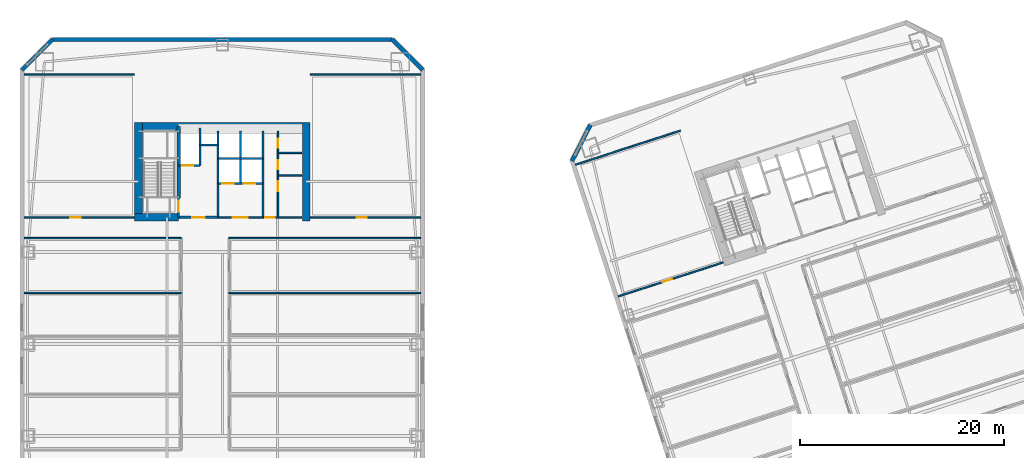
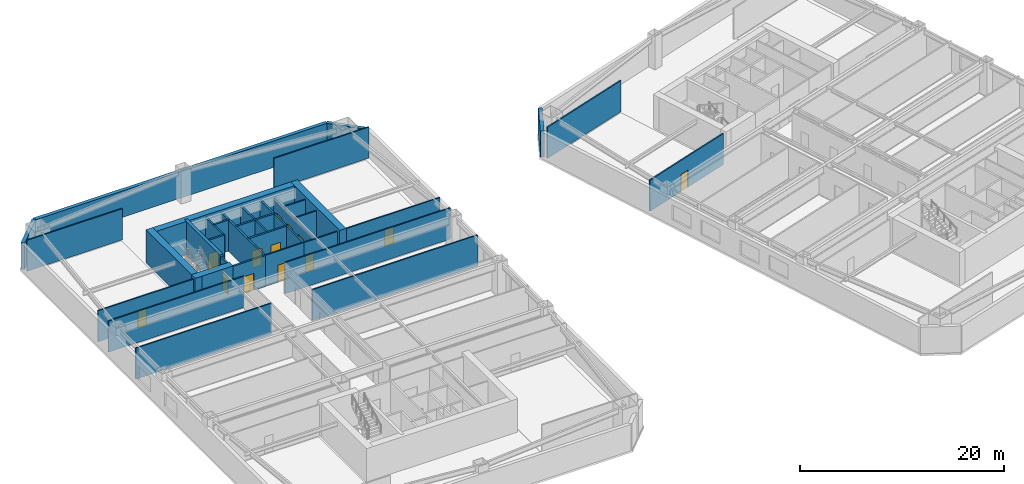
# One storey, part 12 of 24: 34 walls, 13 doors, 13 openings.
"""IFC4 building model written with IfcOpenShell, lengths in metres."""

import ifcopenshell
import ifcopenshell.guid

model = None  # the IFC model being written
_history = None  # IfcOwnerHistory: only IFC2X3 demands one
_inside = {}  # id of a spatial element -> (the spatial element, [elements in it])
_under = {}  # id of a project, library or spatial element -> (it, [spatial elements below it])
_declared = {}  # id of a project -> (the project, [libraries it declares])
_typed = {}  # id of a type object -> (the type object, [elements of that type])
_made_of = {}  # id of a material, layer set ... -> (it, [elements and type objects made of it])


def new_model(schema):
    """Start an empty IFC model of exactly this schema.

    Asked for "IFC4X3", IfcOpenShell would pick the latest addendum, in which some entities
    have other attributes; the version numbers below select the first issue.
    IFC2X3 requires an IfcOwnerHistory on every rooted entity: one is made here for all.
    """
    global model, _history
    if schema == "IFC4X3":
        model = ifcopenshell.file(schema_version=(4, 3, 0, 0))
    else:
        model = ifcopenshell.file(schema=schema)
    _inside.clear()
    _under.clear()
    _declared.clear()
    _typed.clear()
    _made_of.clear()
    _history = None
    if model.schema == "IFC2X3":
        org = make("IfcOrganization", Name="unknown")
        user = make(
            "IfcPersonAndOrganization",
            ThePerson=make("IfcPerson", FamilyName="unknown"),
            TheOrganization=org,
        )
        app = make(
            "IfcApplication",
            ApplicationDeveloper=org,
            Version="unknown",
            ApplicationFullName="unknown",
            ApplicationIdentifier="unknown",
        )
        _history = make(
            "IfcOwnerHistory",
            OwningUser=user,
            OwningApplication=app,
            ChangeAction="ADDED",
            CreationDate=0,
        )
    return model


def make(cls, **values):
    """One entity of the class cls with the attributes given. An attribute that is None is left unset."""
    return model.create_entity(
        cls, **{name: value for name, value in values.items() if value is not None}
    )


def rooted(cls, **values):
    """An entity with a GlobalId (a new one), such as an element, a storey or a relation."""
    return make(cls, GlobalId=ifcopenshell.guid.new(), OwnerHistory=_history, **values)


def si_unit(unit_type, name, prefix=None):
    """IfcSIUnit, for example si_unit("LENGTHUNIT", "METRE", prefix="MILLI")."""
    return make("IfcSIUnit", UnitType=unit_type, Prefix=prefix, Name=name)


def assignment(units):
    """IfcUnitAssignment: the units of a project."""
    return None if units is None else make("IfcUnitAssignment", Units=units)


def point(xyz):
    """IfcCartesianPoint."""
    return None if xyz is None else make("IfcCartesianPoint", Coordinates=xyz)


def direction(xyz):
    """IfcDirection."""
    return None if xyz is None else make("IfcDirection", DirectionRatios=xyz)


def frame(location, z_axis=None, x_axis=None):
    """IfcAxis2Placement3D, a coordinate frame: its origin and axes. An axis left out is left unset."""
    return make(
        "IfcAxis2Placement3D",
        Location=point(location),
        Axis=direction(z_axis),
        RefDirection=direction(x_axis),
    )


def frame_2d(location, x_axis=None):
    """IfcAxis2Placement2D, a coordinate frame in the plane: its origin and x axis."""
    return make(
        "IfcAxis2Placement2D", Location=point(location), RefDirection=direction(x_axis)
    )


def origin():
    """The frame at (0, 0, 0) with its axes left unset."""
    return frame((0.0, 0.0, 0.0))


def place(relative_to, where):
    """IfcLocalPlacement: puts the frame where relative to a parent placement (None: the world)."""
    return make(
        "IfcLocalPlacement", PlacementRelTo=relative_to, RelativePlacement=where
    )


def context(
    kind, dimensions, precision=None, world=None, true_north=None, identifier=None
):
    """IfcGeometricRepresentationContext, for example the 3D "Model" context."""
    return make(
        "IfcGeometricRepresentationContext",
        ContextIdentifier=identifier,
        ContextType=kind,
        CoordinateSpaceDimension=dimensions,
        Precision=precision,
        WorldCoordinateSystem=world,
        TrueNorth=true_north,
    )


def subcontext(parent, identifier, kind, view, scale=None):
    """IfcGeometricRepresentationSubContext, for example "Body" below "Model"."""
    return make(
        "IfcGeometricRepresentationSubContext",
        ContextIdentifier=identifier,
        ContextType=kind,
        ParentContext=parent,
        TargetScale=scale,
        TargetView=view,
    )


def project(units=None, contexts=None):
    """IfcProject with its units and contexts."""
    return rooted(
        "IfcProject",
        Name="project",
        RepresentationContexts=contexts,
        UnitsInContext=assignment(units),
    )


def spatial(cls, under=None, at=None, **own):
    """A site, building, storey or space (cls), placed at a placement, below another one or the project."""
    s = rooted(cls, ObjectPlacement=at, **own)
    if under is not None:
        _under.setdefault(under.id(), (under, []))[1].append(s)
    return s


def profile(cls, at=None, kind="AREA", **sizes):
    """A parametric profile (cls). Its sizes go by their IFC names, for example OverallWidth=200.0."""
    return make(cls, ProfileType=kind, Position=at, **sizes)


def rectangle(**sizes):
    """IfcRectangleProfileDef."""
    return profile("IfcRectangleProfileDef", **sizes)


def extrude(swept, where, along, depth):
    """IfcExtrudedAreaSolid: the profile swept, set in the frame where, extruded along a direction by depth."""
    return make(
        "IfcExtrudedAreaSolid",
        SweptArea=swept,
        Position=where,
        ExtrudedDirection=direction(along),
        Depth=depth,
    )


def shape(context_of_items, identifier, shape_type, items):
    """IfcShapeRepresentation: the items that make up one representation, for example the "Body"."""
    return make(
        "IfcShapeRepresentation",
        ContextOfItems=context_of_items,
        RepresentationIdentifier=identifier,
        RepresentationType=shape_type,
        Items=items,
    )


def material(Name=None, Category=None):
    """IfcMaterial."""
    return make("IfcMaterial", Name=Name, Category=Category)


def layer(
    of_material, thickness, ventilated=None, Name=None, Category=None, Priority=None
):
    """IfcMaterialLayer: one layer of a wall or slab, of a material (None: an air gap)."""
    return make(
        "IfcMaterialLayer",
        Material=of_material,
        LayerThickness=thickness,
        IsVentilated=ventilated,
        Name=Name,
        Category=Category,
        Priority=Priority,
    )


def layer_set(layers, Name=None):
    """IfcMaterialLayerSet."""
    return make("IfcMaterialLayerSet", MaterialLayers=layers, LayerSetName=Name)


def made_of(thing, what):
    """Note that an element or type object is made of a material, layer set ...; save() writes the relation."""
    if what is not None:
        _made_of.setdefault(what.id(), (what, []))[1].append(thing)
    return thing


def type_object(cls, material=None, **own):
    """A type object (cls), such as IfcWallType, which elements share."""
    return made_of(rooted(cls, **own), material)


def element(
    cls,
    number,
    at=None,
    inside=None,
    cuts=None,
    type_object=None,
    material=None,
    context=None,
    identifier="Body",
    shape_type=None,
    held_by="IfcProductDefinitionShape",
    body=None,
    shapes=None,
    **own,
):
    """One element of the class cls, such as IfcWall. Its Tag is "e" and its number.

    at: its placement. inside: the storey or other place that contains it. cuts: it is an
    opening in that element (IfcRelVoidsElement). A single representation is given by context,
    identifier, shape_type and body (its items); several are given by shapes. held_by: the class
    of the entity that holds the representations. save() writes the other relations.
    """
    e = rooted(cls, Tag="e%d" % number, ObjectPlacement=at, **own)
    if body is not None:
        shapes = [shape(context, identifier, shape_type, body)]
    if shapes is not None:
        e.Representation = make(held_by, Representations=shapes)
    if inside is not None:
        _inside.setdefault(inside.id(), (inside, []))[1].append(e)
    if cuts is not None:
        rooted(
            "IfcRelVoidsElement", RelatingBuildingElement=cuts, RelatedOpeningElement=e
        )
    if type_object is not None:
        _typed.setdefault(type_object.id(), (type_object, []))[1].append(e)
    return made_of(e, material)


def fill(opening, filler):
    """IfcRelFillsElement: the door or window that sits in an opening."""
    return rooted(
        "IfcRelFillsElement",
        RelatingOpeningElement=opening,
        RelatedBuildingElement=filler,
    )


def aggregate(whole, parts):
    """IfcRelAggregates: a whole, such as a stair, and the parts it consists of."""
    return rooted("IfcRelAggregates", RelatingObject=whole, RelatedObjects=parts)


def save(model, path):
    """Write the relations noted so far, then the file.

    IfcRelAggregates (storeys below a building ...), IfcRelContainedInSpatialStructure (elements
    in a storey), IfcRelDefinesByType, IfcRelAssociatesMaterial and IfcRelDeclares: one each for
    every whole, place, type object, material and project.
    """
    for whole, parts in _under.values():
        aggregate(whole, parts)
    for where, things in _inside.values():
        rooted(
            "IfcRelContainedInSpatialStructure",
            RelatedElements=things,
            RelatingStructure=where,
        )
    for kind, things in _typed.values():
        rooted("IfcRelDefinesByType", RelatedObjects=things, RelatingType=kind)
    for what, things in _made_of.values():
        rooted("IfcRelAssociatesMaterial", RelatedObjects=things, RelatingMaterial=what)
    for by, libraries in _declared.values():
        rooted("IfcRelDeclares", RelatingContext=by, RelatedDefinitions=libraries)
    model.write(path)


model = new_model("IFC4")

# Units and contexts
model_context = context("Model", 3, precision=1e-05, world=origin(), true_north=direction((0.0, 1.0)))
body_context = subcontext(model_context, "Body", "Model", "MODEL_VIEW")
ifc_project = project(units=[si_unit("LENGTHUNIT", "METRE"), si_unit("AREAUNIT", "SQUARE_METRE"), si_unit("VOLUMEUNIT", "CUBIC_METRE"), si_unit("PLANEANGLEUNIT", "RADIAN"), si_unit("MASSUNIT", "GRAM", prefix="KILO")], contexts=[model_context])

# Site, building, storey
site_placement = place(None, origin())
site = spatial("IfcSite", under=ifc_project, at=site_placement, CompositionType="ELEMENT")
building_placement = place(site_placement, origin())
building = spatial("IfcBuilding", under=site, at=building_placement, Name="Qiaolan Cultural Towers", CompositionType="ELEMENT")
storey_placement = place(building_placement, frame((0.0, 0.0, 30.0)))
storey = spatial("IfcBuildingStorey", under=building, at=storey_placement, Name="L06", CompositionType="ELEMENT", Elevation=30.0)

# Walls
ifc_material_1 = material(Name="Concrete C50", Category="concrete")
ifc_layer_1 = layer(ifc_material_1, 0.35009765625)
ifc_layer_set_1 = layer_set([ifc_layer_1], Name="Concrete C50")
wall_type_1 = type_object("IfcWallType", Name="WL-CORE-350", PredefinedType="SHEAR", material=ifc_layer_set_1)
wall_1_placement = place(storey_placement, frame((25.719970703125, 48.300048828125, 0.0), z_axis=(0.0, 0.0, 1.0), x_axis=(0.0, 1.0, 0.0)))
element("IfcWall", 1, at=wall_1_placement, inside=storey, type_object=wall_type_1, Name="L06 T1-CN Stair Core Dividing Web", PredefinedType="SHEAR", context=body_context, shape_type="SweptSolid", body=[
    extrude(rectangle(XDim=6.97998046875, YDim=0.35009765625, at=frame_2d((3.489990234375, 0.0))), origin(), (0.0, 0.0, 1.0), 4.0),
])
ifc_material_2 = material(Name="Concrete C60", Category="concrete")
ifc_layer_2 = layer(ifc_material_2, 0.75)
ifc_layer_set_2 = layer_set([ifc_layer_2], Name="Concrete C60")
wall_type_2 = type_object("IfcWallType", Name="WL-CORE-750", PredefinedType="SHEAR", material=ifc_layer_set_2)
wall_2_placement = place(storey_placement, frame((21.425048828125, 55.280029296875, 0.0), z_axis=(0.0, 0.0, 1.0), x_axis=(1.0, 0.0, 0.0)))
element("IfcWall", 2, at=wall_2_placement, inside=storey, type_object=wall_type_2, Name="L06 T1-CN Outer Core Shear Wall", PredefinedType="SHEAR", context=body_context, shape_type="SweptSolid", body=[
    extrude(rectangle(XDim=17.14990234375, YDim=0.75, at=frame_2d((8.574951171875, 0.0))), origin(), (0.0, 0.0, 1.0), 4.0),
])
for number, where, z_axis, x_axis, name in (
    (3, (21.800048828125, 46.02490234375, 0.0), (0.0, 0.0, 1.0), (0.0, 1.0, 0.0), "L06 T1-CN West Core Shear Wall"),
    (4, (38.199951171875, 46.02490234375, 0.0), (0.0, 0.0, 1.0), (0.0, 1.0, 0.0), "L06 T1-CN East Core Shear Wall"),
):
    element("IfcWall", number, at=place(storey_placement, frame(where, z_axis=z_axis, x_axis=x_axis)), inside=storey, type_object=wall_type_2, Name=name, PredefinedType="SHEAR", context=body_context, shape_type="SweptSolid", body=[
        extrude(rectangle(XDim=9.630126953125, YDim=0.75, at=frame_2d((4.81494140625, 0.0))), origin(), (0.0, 0.0, 1.0), 4.0),
    ])
wall_3_placement = place(storey_placement, frame((21.425048828125, 46.39990234375, 0.0), z_axis=(0.0, 0.0, 1.0), x_axis=(1.0, 0.0, 0.0)))
element("IfcWall", 5, at=wall_3_placement, inside=storey, type_object=wall_type_2, Name="L06 T1-CN Stair Front Shear Wall", PredefinedType="SHEAR", context=body_context, shape_type="SweptSolid", body=[
    extrude(rectangle(XDim=4.294921875, YDim=0.75, at=frame_2d((2.1474609375, 0.0))), origin(), (0.0, 0.0, 1.0), 4.0),
])
ifc_material_3 = material(Name="Precast Concrete C50 Honed Stone Pier", Category="masonry")
ifc_layer_3 = layer(ifc_material_3, 0.39990234375)
ifc_layer_set_3 = layer_set([ifc_layer_3], Name="Precast Concrete C50 Honed Stone Pier")
wall_type_3 = type_object("IfcWallType", Name="WL-EXT-PIER-400", PredefinedType="SOLIDWALL", material=ifc_layer_set_3)
wall_4_placement = place(storey_placement, frame((10.39990234375, 60.800048828125, 0.0), z_axis=(0.0, 0.0, 1.0), x_axis=(0.707106781187, 0.707106781187, 0.0)))
element("IfcWall", 6, at=wall_4_placement, inside=storey, type_object=wall_type_3, Name="L06 West Tower Precast Pier Facade Wall F2", PredefinedType="SOLIDWALL", context=body_context, shape_type="SweptSolid", body=[
    extrude(rectangle(XDim=4.24267578125, YDim=0.39990234375, at=frame_2d((2.121337890625, 0.0))), origin(), (0.0, 0.0, 1.0), 3.159912109375),
])
wall_5_placement = place(storey_placement, frame((13.39990234375, 63.800048828125, 0.0), z_axis=(0.0, 0.0, 1.0), x_axis=(1.0, 0.0, 0.0)))
element("IfcWall", 7, at=wall_5_placement, inside=storey, type_object=wall_type_3, Name="L06 West Tower Precast Pier Facade Wall F3", PredefinedType="SOLIDWALL", context=body_context, shape_type="SweptSolid", body=[
    extrude(rectangle(XDim=33.2001953125, YDim=0.39990234375, at=frame_2d((16.60009765625, 0.0))), origin(), (0.0, 0.0, 1.0), 3.159912109375),
])
wall_6_placement = place(storey_placement, frame((46.60009765625, 63.800048828125, 0.0), z_axis=(0.0, 0.0, 1.0), x_axis=(0.707106781187, -0.707106781187, 0.0)))
element("IfcWall", 8, at=wall_6_placement, inside=storey, type_object=wall_type_3, Name="L06 West Tower Precast Pier Facade Wall F4", PredefinedType="SOLIDWALL", context=body_context, shape_type="SweptSolid", body=[
    extrude(rectangle(XDim=4.24267578125, YDim=0.39990234375, at=frame_2d((2.121337890625, 0.0))), origin(), (0.0, 0.0, 1.0), 3.159912109375),
])
wall_7_placement = place(storey_placement, frame((64.20458984375, 51.905029296875, 0.0), z_axis=(0.0, 0.0, 1.0), x_axis=(0.453958106755, 0.891023028497, 0.0)))
element("IfcWall", 9, at=wall_7_placement, inside=storey, type_object=wall_type_3, Name="L06 East Tower Precast Pier Facade Wall F2", PredefinedType="SOLIDWALL", context=body_context, shape_type="SweptSolid", body=[
    extrude(rectangle(XDim=3.9599609375, YDim=0.39990234375, at=frame_2d((1.97998046875, 0.0))), origin(), (0.0, 0.0, 1.0), 3.159912109375),
])

# Wall, opening, door
ifc_material_4 = material(Name="Concrete C35 Fire Wall", Category="concrete")
ifc_layer_4 = layer(ifc_material_4, 0.199951171875)
ifc_layer_set_4 = layer_set([ifc_layer_4], Name="Concrete C35 Fire Wall")
wall_type_4 = type_object("IfcWallType", Name="WL-FIRE-200", PredefinedType="PARTITIONING", material=ifc_layer_set_4)
wall_8_placement = place(storey_placement, frame((25.719970703125, 46.39990234375, 0.0), z_axis=(0.0, 0.0, 1.0), x_axis=(0.0, 1.0, 0.0)))
wall_8 = element("IfcWall", 10, at=wall_8_placement, inside=storey, type_object=wall_type_4, Name="L06 T1-CN Smokeproof Stair Entry Wall", PredefinedType="PARTITIONING", context=body_context, shape_type="SweptSolid", body=[
    extrude(rectangle(XDim=1.900146484375, YDim=0.199951171875, at=frame_2d((0.9501953125, 0.0))), origin(), (0.0, 0.0, 1.0), 3.72509765625),
])
opening_1_placement = place(wall_8_placement, frame((0.52001953125, 0.0, 0.0)))
opening_1 = element("IfcOpeningElement", 11, at=opening_1_placement, cuts=wall_8, Name="Opening FD-04", PredefinedType="OPENING", context=body_context, shape_type="SweptSolid", body=[
    extrude(rectangle(XDim=1.10009765625, YDim=2.050048828125, at=frame_2d((0.550048828125, 1.02490234375))), frame((0.0, 0.10986328125, 0.0), z_axis=(0.0, -1.0, 0.0), x_axis=(1.0, 0.0, 0.0)), (0.0, 0.0, 1.0), 0.219970703125),
])
ifc_material_5 = material(Name="Galvanized Steel Command Fire Door", Category="steel")
door_type_1 = type_object("IfcDoorType", Name="DR-FD90-1100", OperationType="NOTDEFINED", PredefinedType="DOOR", material=ifc_material_5)
door_1_placement = place(opening_1_placement, origin())
door_1 = element("IfcDoor", 12, at=door_1_placement, inside=storey, type_object=door_type_1, Name="L06 ST-W2 Smokeproof Stair Fire Door", OperationType="SINGLE_SWING_LEFT", OverallHeight=2.050048828125, OverallWidth=1.10009765625, PredefinedType="DOOR", context=body_context, shape_type="SweptSolid", body=[
    extrude(rectangle(XDim=1.10009765625, YDim=2.050048828125, at=frame_2d((0.550048828125, 1.02490234375))), frame((0.0, 0.02490234375, 0.0), z_axis=(0.0, -1.0, 0.0), x_axis=(1.0, 0.0, 0.0)), (0.0, 0.0, 1.0), 0.050048828125),
])
fill(opening_1, door_1)

# Wall
wall_9_placement = place(storey_placement, frame((29.550048828125, 46.39990234375, 0.0), z_axis=(0.0, 0.0, 1.0), x_axis=(0.0, 1.0, 0.0)))
element("IfcWall", 13, at=wall_9_placement, inside=storey, type_object=wall_type_4, Name="L06 T1-CN Firefighting Zone Wall", PredefinedType="PARTITIONING", context=body_context, shape_type="SweptSolid", body=[
    extrude(rectangle(XDim=8.43017578125, YDim=0.199951171875, at=frame_2d((4.215087890625, 0.0))), origin(), (0.0, 0.0, 1.0), 3.72509765625),
])

# Wall, opening, door
wall_10_placement = place(storey_placement, frame((25.719970703125, 46.39990234375, 0.0), z_axis=(0.0, 0.0, 1.0), x_axis=(1.0, 0.0, 0.0)))
wall_10 = element("IfcWall", 14, at=wall_10_placement, inside=storey, type_object=wall_type_4, Name="L06 T1-CN Firefighting Lobby Front Wall", PredefinedType="PARTITIONING", context=body_context, shape_type="SweptSolid", body=[
    extrude(rectangle(XDim=3.830078125, YDim=0.199951171875, at=frame_2d((1.9150390625, 0.0))), origin(), (0.0, 0.0, 1.0), 3.72509765625),
])
opening_2_placement = place(wall_10_placement, frame((1.35009765625, 0.0, 0.0)))
opening_2 = element("IfcOpeningElement", 15, at=opening_2_placement, cuts=wall_10, Name="Opening FD-03", PredefinedType="OPENING", context=body_context, shape_type="SweptSolid", body=[
    extrude(rectangle(XDim=1.199951171875, YDim=2.050048828125, at=frame_2d((0.60009765625, 1.02490234375))), frame((0.0, 0.10986328125, 0.0), z_axis=(0.0, -1.0, 0.0), x_axis=(1.0, 0.0, 0.0)), (0.0, 0.0, 1.0), 0.219970703125),
])
ifc_material_6 = material(Name="Galvanized Steel Smokeproof Lobby Fire Door", Category="steel")
door_type_2 = type_object("IfcDoorType", Name="DR-FD90-1200", OperationType="NOTDEFINED", PredefinedType="DOOR", material=ifc_material_6)
door_2_placement = place(opening_2_placement, origin())
door_2 = element("IfcDoor", 16, at=door_2_placement, inside=storey, type_object=door_type_2, Name="L06 FFL-W2 Firefighting Lobby Fire Door", OperationType="SINGLE_SWING_LEFT", OverallHeight=2.050048828125, OverallWidth=1.199951171875, PredefinedType="DOOR", context=body_context, shape_type="SweptSolid", body=[
    extrude(rectangle(XDim=1.199951171875, YDim=2.050048828125, at=frame_2d((0.60009765625, 1.02490234375))), frame((0.0, 0.02490234375, 0.0), z_axis=(0.0, -1.0, 0.0), x_axis=(1.0, 0.0, 0.0)), (0.0, 0.0, 1.0), 0.050048828125),
])
fill(opening_2, door_2)

wall_11_placement = place(storey_placement, frame((25.719970703125, 51.449951171875, 0.0), z_axis=(0.0, 0.0, 1.0), x_axis=(1.0, 0.0, 0.0)))
wall_11 = element("IfcWall", 17, at=wall_11_placement, inside=storey, type_object=wall_type_4, Name="L06 T1-CN Firefighting Shaft Front Wall", PredefinedType="PARTITIONING", context=body_context, shape_type="SweptSolid", body=[
    extrude(rectangle(XDim=2.10009765625, YDim=0.199951171875, at=frame_2d((1.050048828125, 0.0))), origin(), (0.0, 0.0, 1.0), 3.72509765625),
])
opening_3_placement = place(wall_11_placement, frame((0.35009765625, 0.0, 0.0)))
opening_3 = element("IfcOpeningElement", 18, at=opening_3_placement, cuts=wall_11, Name="Opening LD-01", PredefinedType="OPENING", context=body_context, shape_type="SweptSolid", body=[
    extrude(rectangle(XDim=1.10009765625, YDim=2.050048828125, at=frame_2d((0.550048828125, 1.02490234375))), frame((0.0, 0.10986328125, 0.0), z_axis=(0.0, -1.0, 0.0), x_axis=(1.0, 0.0, 0.0)), (0.0, 0.0, 1.0), 0.219970703125),
])
ifc_material_7 = material(Name="Brushed Stainless Steel S30408 Centre-Parting Lift Landing Door", Category="steel")
door_type_3 = type_object("IfcDoorType", Name="DR-LIFT-1100", OperationType="NOTDEFINED", PredefinedType="DOOR", material=ifc_material_7)
door_3_placement = place(opening_3_placement, origin())
door_3 = element("IfcDoor", 19, at=door_3_placement, inside=storey, type_object=door_type_3, Name="L06 FFL-W2 Firefighting Lift Landing Door", OperationType="DOUBLE_DOOR_SLIDING", OverallHeight=2.050048828125, OverallWidth=1.10009765625, PredefinedType="DOOR", context=body_context, shape_type="SweptSolid", body=[
    extrude(rectangle(XDim=1.10009765625, YDim=2.050048828125, at=frame_2d((0.550048828125, 1.02490234375))), frame((0.0, 0.02490234375, 0.0), z_axis=(0.0, -1.0, 0.0), x_axis=(1.0, 0.0, 0.0)), (0.0, 0.0, 1.0), 0.050048828125),
])
fill(opening_3, door_3)

# Walls
wall_12_placement = place(storey_placement, frame((27.820068359375, 51.449951171875, 0.0), z_axis=(0.0, 0.0, 1.0), x_axis=(0.0, 1.0, 0.0)))
element("IfcWall", 20, at=wall_12_placement, inside=storey, type_object=wall_type_4, Name="L06 T1-CN Firefighting Hoistway East Wall", PredefinedType="PARTITIONING", context=body_context, shape_type="SweptSolid", body=[
    extrude(rectangle(XDim=3.699951171875, YDim=0.199951171875, at=frame_2d((1.85009765625, 0.0))), origin(), (0.0, 0.0, 1.0), 3.72509765625),
])
wall_13_placement = place(storey_placement, frame((27.820068359375, 53.47998046875, 0.0), z_axis=(0.0, 0.0, 1.0), x_axis=(1.0, 0.0, 0.0)))
element("IfcWall", 21, at=wall_13_placement, inside=storey, type_object=wall_type_4, Name="L06 T1-CN Pressurization Shaft Front Wall", PredefinedType="PARTITIONING", context=body_context, shape_type="SweptSolid", body=[
    extrude(rectangle(XDim=1.72998046875, YDim=0.199951171875, at=frame_2d((0.864990234375, 0.0))), origin(), (0.0, 0.0, 1.0), 3.72509765625),
])
wall_14_placement = place(storey_placement, frame((33.949951171875, 46.39990234375, 0.0), z_axis=(0.0, 0.0, 1.0), x_axis=(0.0, 1.0, 0.0)))
element("IfcWall", 22, at=wall_14_placement, inside=storey, type_object=wall_type_4, Name="L06 T1-CN Lift Core East Wall", PredefinedType="PARTITIONING", context=body_context, shape_type="SweptSolid", body=[
    extrude(rectangle(XDim=8.43017578125, YDim=0.199951171875, at=frame_2d((4.215087890625, 0.0))), origin(), (0.0, 0.0, 1.0), 3.72509765625),
])

# Wall, openings, doors
wall_15_placement = place(storey_placement, frame((29.550048828125, 49.719970703125, 0.0), z_axis=(0.0, 0.0, 1.0), x_axis=(1.0, 0.0, 0.0)))
wall_15 = element("IfcWall", 23, at=wall_15_placement, inside=storey, type_object=wall_type_4, Name="L06 T1-CN Passenger Lift Shaft Front Wall", PredefinedType="PARTITIONING", context=body_context, shape_type="SweptSolid", body=[
    extrude(rectangle(XDim=4.39990234375, YDim=0.199951171875, at=frame_2d((2.199951171875, 0.0))), origin(), (0.0, 0.0, 1.0), 3.72509765625),
])
opening_4_placement = place(wall_15_placement, frame((0.449951171875, 0.0, 0.0)))
opening_4 = element("IfcOpeningElement", 24, at=opening_4_placement, cuts=wall_15, Name="Opening LD-01", PredefinedType="OPENING", context=body_context, shape_type="SweptSolid", body=[
    extrude(rectangle(XDim=1.10009765625, YDim=2.050048828125, at=frame_2d((0.550048828125, 1.02490234375))), frame((0.0, 0.10986328125, 0.0), z_axis=(0.0, -1.0, 0.0), x_axis=(1.0, 0.0, 0.0)), (0.0, 0.0, 1.0), 0.219970703125),
])
opening_5_placement = place(wall_15_placement, frame((2.550048828125, 0.0, 0.0)))
opening_5 = element("IfcOpeningElement", 25, at=opening_5_placement, cuts=wall_15, Name="Opening LD-01", PredefinedType="OPENING", context=body_context, shape_type="SweptSolid", body=[
    extrude(rectangle(XDim=1.10009765625, YDim=2.050048828125, at=frame_2d((0.550048828125, 1.02490234375))), frame((0.0, 0.10986328125, 0.0), z_axis=(0.0, -1.0, 0.0), x_axis=(1.0, 0.0, 0.0)), (0.0, 0.0, 1.0), 0.219970703125),
])
door_4_placement = place(opening_4_placement, origin())
door_4 = element("IfcDoor", 26, at=door_4_placement, inside=storey, type_object=door_type_3, Name="L06 Passenger Lift 1 Landing Door", OperationType="DOUBLE_DOOR_SLIDING", OverallHeight=2.050048828125, OverallWidth=1.10009765625, PredefinedType="DOOR", context=body_context, shape_type="SweptSolid", body=[
    extrude(rectangle(XDim=1.10009765625, YDim=2.050048828125, at=frame_2d((0.550048828125, 1.02490234375))), frame((0.0, 0.02490234375, 0.0), z_axis=(0.0, -1.0, 0.0), x_axis=(1.0, 0.0, 0.0)), (0.0, 0.0, 1.0), 0.050048828125),
])
fill(opening_4, door_4)
door_5_placement = place(opening_5_placement, origin())
door_5 = element("IfcDoor", 27, at=door_5_placement, inside=storey, type_object=door_type_3, Name="L06 Passenger Lift 2 Landing Door", OperationType="DOUBLE_DOOR_SLIDING", OverallHeight=2.050048828125, OverallWidth=1.10009765625, PredefinedType="DOOR", context=body_context, shape_type="SweptSolid", body=[
    extrude(rectangle(XDim=1.10009765625, YDim=2.050048828125, at=frame_2d((0.550048828125, 1.02490234375))), frame((0.0, 0.02490234375, 0.0), z_axis=(0.0, -1.0, 0.0), x_axis=(1.0, 0.0, 0.0)), (0.0, 0.0, 1.0), 0.050048828125),
])
fill(opening_5, door_5)

# Walls
wall_16_placement = place(storey_placement, frame((31.780029296875, 49.719970703125, 0.0), z_axis=(0.0, 0.0, 1.0), x_axis=(0.0, 1.0, 0.0)))
element("IfcWall", 28, at=wall_16_placement, inside=storey, type_object=wall_type_4, Name="L06 T1-CN Lift Shaft Divider Wall", PredefinedType="PARTITIONING", context=body_context, shape_type="SweptSolid", body=[
    extrude(rectangle(XDim=5.110107421875, YDim=0.199951171875, at=frame_2d((2.55517578125, 0.0))), origin(), (0.0, 0.0, 1.0), 3.72509765625),
])
wall_17_placement = place(storey_placement, frame((29.550048828125, 52.14990234375, 0.0), z_axis=(0.0, 0.0, 1.0), x_axis=(1.0, 0.0, 0.0)))
element("IfcWall", 29, at=wall_17_placement, inside=storey, type_object=wall_type_4, Name="L06 T1-CN Passenger Lift Shaft Back Wall", PredefinedType="PARTITIONING", context=body_context, shape_type="SweptSolid", body=[
    extrude(rectangle(XDim=4.39990234375, YDim=0.199951171875, at=frame_2d((2.199951171875, 0.0))), origin(), (0.0, 0.0, 1.0), 3.72509765625),
])

# Wall, opening, door
ifc_material_8 = material(Name="Autoclaved Aerated Concrete Block B06", Category="concrete")
ifc_layer_5 = layer(ifc_material_8, 0.14990234375)
ifc_layer_set_5 = layer_set([ifc_layer_5], Name="Autoclaved Aerated Concrete Block B06")
wall_type_5 = type_object("IfcWallType", Name="WL-PART-150", PredefinedType="PARTITIONING", material=ifc_layer_set_5)
wall_18_placement = place(storey_placement, frame((29.550048828125, 46.39990234375, 0.0), z_axis=(0.0, 0.0, 1.0), x_axis=(1.0, 0.0, 0.0)))
wall_18 = element("IfcWall", 30, at=wall_18_placement, inside=storey, type_object=wall_type_5, Name="L06 T1-CN Passenger Lift Lobby Front Wall", PredefinedType="PARTITIONING", context=body_context, shape_type="SweptSolid", body=[
    extrude(rectangle(XDim=4.39990234375, YDim=0.14990234375, at=frame_2d((2.199951171875, 0.0))), origin(), (0.0, 0.0, 1.0), 3.72509765625),
])
opening_6_placement = place(wall_18_placement, frame((1.449951171875, 0.0, 0.0)))
opening_6 = element("IfcOpeningElement", 31, at=opening_6_placement, cuts=wall_18, Name="Opening FD-05", PredefinedType="OPENING", context=body_context, shape_type="SweptSolid", body=[
    extrude(rectangle(XDim=1.5, YDim=2.050048828125, at=frame_2d((0.75, 1.02490234375))), frame((0.0, 0.0849609375, 0.0), z_axis=(0.0, -1.0, 0.0), x_axis=(1.0, 0.0, 0.0)), (0.0, 0.0, 1.0), 0.169921875),
])
ifc_material_9 = material(Name="Painted Steel Lift Lobby Fire Door", Category="steel")
door_type_4 = type_object("IfcDoorType", Name="DR-FD60-1500", OperationType="NOTDEFINED", PredefinedType="DOOR", material=ifc_material_9)
door_6_placement = place(opening_6_placement, origin())
door_6 = element("IfcDoor", 32, at=door_6_placement, inside=storey, type_object=door_type_4, Name="L06 Passenger Lift Lobby Entrance", OperationType="SINGLE_SWING_LEFT", OverallHeight=2.050048828125, OverallWidth=1.5, PredefinedType="DOOR", context=body_context, shape_type="SweptSolid", body=[
    extrude(rectangle(XDim=1.5, YDim=2.050048828125, at=frame_2d((0.75, 1.02490234375))), frame((0.0, 0.02490234375, 0.0), z_axis=(0.0, -1.0, 0.0), x_axis=(1.0, 0.0, 0.0)), (0.0, 0.0, 1.0), 0.050048828125),
])
fill(opening_6, door_6)

wall_19_placement = place(storey_placement, frame((33.949951171875, 46.39990234375, 0.0), z_axis=(0.0, 0.0, 1.0), x_axis=(1.0, 0.0, 0.0)))
wall_19 = element("IfcWall", 33, at=wall_19_placement, inside=storey, type_object=wall_type_5, Name="L06 T1-CN Sanitary Core Front Wall", PredefinedType="PARTITIONING", context=body_context, shape_type="SweptSolid", body=[
    extrude(rectangle(XDim=3.800048828125, YDim=0.14990234375, at=frame_2d((1.89990234375, 0.0))), origin(), (0.0, 0.0, 1.0), 3.72509765625),
])
opening_7_placement = place(wall_19_placement, frame((0.219970703125, 0.0, 0.0)))
opening_7 = element("IfcOpeningElement", 34, at=opening_7_placement, cuts=wall_19, Name="Opening ID-05", PredefinedType="OPENING", context=body_context, shape_type="SweptSolid", body=[
    extrude(rectangle(XDim=0.949951171875, YDim=2.050048828125, at=frame_2d((0.47509765625, 1.02490234375))), frame((0.0, 0.0849609375, 0.0), z_axis=(0.0, -1.0, 0.0), x_axis=(1.0, 0.0, 0.0)), (0.0, 0.0, 1.0), 0.169921875),
])
ifc_material_10 = material(Name="Fire-Rated Laminate Accessible Core Door", Category="timber")
door_type_5 = type_object("IfcDoorType", Name="DR-INT-950", OperationType="NOTDEFINED", PredefinedType="DOOR", material=ifc_material_10)
door_7_placement = place(opening_7_placement, origin())
door_7 = element("IfcDoor", 35, at=door_7_placement, inside=storey, type_object=door_type_5, Name="L06 Sanitary Vestibule Door", OperationType="SINGLE_SWING_LEFT", OverallHeight=2.050048828125, OverallWidth=0.949951171875, PredefinedType="DOOR", context=body_context, shape_type="SweptSolid", body=[
    extrude(rectangle(XDim=0.949951171875, YDim=2.050048828125, at=frame_2d((0.47509765625, 1.02490234375))), frame((0.0, 0.02490234375, 0.0), z_axis=(0.0, -1.0, 0.0), x_axis=(1.0, 0.0, 0.0)), (0.0, 0.0, 1.0), 0.050048828125),
])
fill(opening_7, door_7)

# Wall, openings, doors
wall_20_placement = place(storey_placement, frame((35.449951171875, 46.39990234375, 0.0), z_axis=(0.0, 0.0, 1.0), x_axis=(0.0, 1.0, 0.0)))
wall_20 = element("IfcWall", 36, at=wall_20_placement, inside=storey, type_object=wall_type_5, Name="L06 T1-CN Sanitary Vestibule Wall", PredefinedType="PARTITIONING", context=body_context, shape_type="SweptSolid", body=[
    extrude(rectangle(XDim=8.43017578125, YDim=0.14990234375, at=frame_2d((4.215087890625, 0.0))), origin(), (0.0, 0.0, 1.0), 3.31494140625),
])
opening_8_placement = place(wall_20_placement, frame((2.550048828125, 0.0, 0.0)))
opening_8 = element("IfcOpeningElement", 37, at=opening_8_placement, cuts=wall_20, Name="Opening ID-05", PredefinedType="OPENING", context=body_context, shape_type="SweptSolid", body=[
    extrude(rectangle(XDim=0.949951171875, YDim=2.050048828125, at=frame_2d((0.47509765625, 1.02490234375))), frame((0.0, 0.0849609375, 0.0), z_axis=(0.0, -1.0, 0.0), x_axis=(1.0, 0.0, 0.0)), (0.0, 0.0, 1.0), 0.169921875),
])
opening_9_placement = place(wall_20_placement, frame((4.699951171875, 0.0, 0.0)))
opening_9 = element("IfcOpeningElement", 38, at=opening_9_placement, cuts=wall_20, Name="Opening ID-06", PredefinedType="OPENING", context=body_context, shape_type="SweptSolid", body=[
    extrude(rectangle(XDim=0.89990234375, YDim=2.050048828125, at=frame_2d((0.449951171875, 1.02490234375))), frame((0.0, 0.0849609375, 0.0), z_axis=(0.0, -1.0, 0.0), x_axis=(1.0, 0.0, 0.0)), (0.0, 0.0, 1.0), 0.169921875),
])
opening_10_placement = place(wall_20_placement, frame((6.800048828125, 0.0, 0.0)))
opening_10 = element("IfcOpeningElement", 39, at=opening_10_placement, cuts=wall_20, Name="Opening ID-06", PredefinedType="OPENING", context=body_context, shape_type="SweptSolid", body=[
    extrude(rectangle(XDim=0.89990234375, YDim=2.050048828125, at=frame_2d((0.449951171875, 1.02490234375))), frame((0.0, 0.0849609375, 0.0), z_axis=(0.0, -1.0, 0.0), x_axis=(1.0, 0.0, 0.0)), (0.0, 0.0, 1.0), 0.169921875),
])
ifc_material_11 = material(Name="Fire-Rated Laminate Core Service Door", Category="timber")
door_type_6 = type_object("IfcDoorType", Name="DR-INT-900", OperationType="NOTDEFINED", PredefinedType="DOOR", material=ifc_material_11)
door_8_placement = place(opening_9_placement, origin())
door_8 = element("IfcDoor", 40, at=door_8_placement, inside=storey, type_object=door_type_6, Name="L06 Men Washroom Door", OperationType="SINGLE_SWING_LEFT", OverallHeight=2.050048828125, OverallWidth=0.89990234375, PredefinedType="DOOR", context=body_context, shape_type="SweptSolid", body=[
    extrude(rectangle(XDim=0.89990234375, YDim=2.050048828125, at=frame_2d((0.449951171875, 1.02490234375))), frame((0.0, 0.02490234375, 0.0), z_axis=(0.0, -1.0, 0.0), x_axis=(1.0, 0.0, 0.0)), (0.0, 0.0, 1.0), 0.050048828125),
])
fill(opening_9, door_8)
door_9_placement = place(opening_10_placement, origin())
door_9 = element("IfcDoor", 41, at=door_9_placement, inside=storey, type_object=door_type_6, Name="L06 Women Washroom Door", OperationType="SINGLE_SWING_RIGHT", OverallHeight=2.050048828125, OverallWidth=0.89990234375, PredefinedType="DOOR", context=body_context, shape_type="SweptSolid", body=[
    extrude(rectangle(XDim=0.89990234375, YDim=2.050048828125, at=frame_2d((0.449951171875, 1.02490234375))), frame((0.0, 0.02490234375, 0.0), z_axis=(0.0, -1.0, 0.0), x_axis=(1.0, 0.0, 0.0)), (0.0, 0.0, 1.0), 0.050048828125),
])
fill(opening_10, door_9)
door_10_placement = place(opening_8_placement, origin())
door_10 = element("IfcDoor", 42, at=door_10_placement, inside=storey, type_object=door_type_5, Name="L06 Accessible Family Washroom Door", OperationType="SINGLE_SWING_LEFT", OverallHeight=2.050048828125, OverallWidth=0.949951171875, PredefinedType="DOOR", context=body_context, shape_type="SweptSolid", body=[
    extrude(rectangle(XDim=0.949951171875, YDim=2.050048828125, at=frame_2d((0.47509765625, 1.02490234375))), frame((0.0, 0.02490234375, 0.0), z_axis=(0.0, -1.0, 0.0), x_axis=(1.0, 0.0, 0.0)), (0.0, 0.0, 1.0), 0.050048828125),
])
fill(opening_8, door_10)

# Walls
for number, where, z_axis, x_axis, name in (
    (43, (35.449951171875, 50.5, 0.0), (0.0, 0.0, 1.0), (1.0, 0.0, 0.0), "L06 T1-CN Restroom Split Wall 1"),
    (44, (35.449951171875, 52.699951171875, 0.0), (0.0, 0.0, 1.0), (1.0, 0.0, 0.0), "L06 T1-CN Restroom Split Wall 2"),
):
    element("IfcWall", number, at=place(storey_placement, frame(where, z_axis=z_axis, x_axis=x_axis)), inside=storey, type_object=wall_type_5, Name=name, PredefinedType="PARTITIONING", context=body_context, shape_type="SweptSolid", body=[
        extrude(rectangle(XDim=2.300048828125, YDim=0.14990234375, at=frame_2d((1.14990234375, 0.0))), origin(), (0.0, 0.0, 1.0), 3.72509765625),
    ])
wall_21_placement = place(storey_placement, frame((10.60009765625, 60.35009765625, 0.0), z_axis=(0.0, 0.0, 1.0), x_axis=(1.0, 0.0, 0.0)))
element("IfcWall", 45, at=wall_21_placement, inside=storey, type_object=wall_type_5, Name="L06 T1 Flank Wall FLK-NW", PredefinedType="PARTITIONING", context=body_context, shape_type="SweptSolid", body=[
    extrude(rectangle(XDim=10.7998046875, YDim=0.14990234375, at=frame_2d((5.39990234375, 0.0))), origin(), (0.0, 0.0, 1.0), 3.72509765625),
])

# Wall, opening, door
wall_22_placement = place(storey_placement, frame((10.60009765625, 46.39990234375, 0.0), z_axis=(0.0, 0.0, 1.0), x_axis=(1.0, 0.0, 0.0)))
wall_22 = element("IfcWall", 46, at=wall_22_placement, inside=storey, type_object=wall_type_5, Name="L06 T1 Flank Front FLK-NW", PredefinedType="PARTITIONING", context=body_context, shape_type="SweptSolid", body=[
    extrude(rectangle(XDim=10.7998046875, YDim=0.14990234375, at=frame_2d((5.39990234375, 0.0))), origin(), (0.0, 0.0, 1.0), 3.72509765625),
])
opening_11_placement = place(wall_22_placement, frame((4.535888671875, 0.0, 0.0)))
opening_11 = element("IfcOpeningElement", 47, at=opening_11_placement, cuts=wall_22, Name="Opening ID-04", PredefinedType="OPENING", context=body_context, shape_type="SweptSolid", body=[
    extrude(rectangle(XDim=1.0, YDim=2.050048828125, at=frame_2d((0.5, 1.02490234375))), frame((0.0, 0.0849609375, 0.0), z_axis=(0.0, -1.0, 0.0), x_axis=(1.0, 0.0, 0.0)), (0.0, 0.0, 1.0), 0.169921875),
])
ifc_material_12 = material(Name="Oak Veneer Acoustic Office Door", Category="timber")
door_type_7 = type_object("IfcDoorType", Name="DR-INT-1000", OperationType="NOTDEFINED", PredefinedType="DOOR", material=ifc_material_12)
door_11_placement = place(opening_11_placement, origin())
door_11 = element("IfcDoor", 48, at=door_11_placement, inside=storey, type_object=door_type_7, Name="L06 T1 Corner Studio Door", OperationType="SINGLE_SWING_LEFT", OverallHeight=2.050048828125, OverallWidth=1.0, PredefinedType="DOOR", context=body_context, shape_type="SweptSolid", body=[
    extrude(rectangle(XDim=1.0, YDim=2.050048828125, at=frame_2d((0.5, 1.02490234375))), frame((0.0, 0.02490234375, 0.0), z_axis=(0.0, -1.0, 0.0), x_axis=(1.0, 0.0, 0.0)), (0.0, 0.0, 1.0), 0.050048828125),
])
fill(opening_11, door_11)

# Wall
wall_23_placement = place(storey_placement, frame((38.60009765625, 60.35009765625, 0.0), z_axis=(0.0, 0.0, 1.0), x_axis=(1.0, 0.0, 0.0)))
element("IfcWall", 49, at=wall_23_placement, inside=storey, type_object=wall_type_5, Name="L06 T1 Flank Wall FLK-NE", PredefinedType="PARTITIONING", context=body_context, shape_type="SweptSolid", body=[
    extrude(rectangle(XDim=10.7998046875, YDim=0.14990234375, at=frame_2d((5.39990234375, 0.0))), origin(), (0.0, 0.0, 1.0), 3.72509765625),
])

# Wall, opening, door
wall_24_placement = place(storey_placement, frame((38.60009765625, 46.39990234375, 0.0), z_axis=(0.0, 0.0, 1.0), x_axis=(1.0, 0.0, 0.0)))
wall_24 = element("IfcWall", 50, at=wall_24_placement, inside=storey, type_object=wall_type_5, Name="L06 T1 Flank Front FLK-NE", PredefinedType="PARTITIONING", context=body_context, shape_type="SweptSolid", body=[
    extrude(rectangle(XDim=10.7998046875, YDim=0.14990234375, at=frame_2d((5.39990234375, 0.0))), origin(), (0.0, 0.0, 1.0), 3.72509765625),
])
opening_12_placement = place(wall_24_placement, frame((4.535888671875, 0.0, 0.0)))
opening_12 = element("IfcOpeningElement", 51, at=opening_12_placement, cuts=wall_24, Name="Opening ID-04", PredefinedType="OPENING", context=body_context, shape_type="SweptSolid", body=[
    extrude(rectangle(XDim=1.0, YDim=2.050048828125, at=frame_2d((0.5, 1.02490234375))), frame((0.0, 0.0849609375, 0.0), z_axis=(0.0, -1.0, 0.0), x_axis=(1.0, 0.0, 0.0)), (0.0, 0.0, 1.0), 0.169921875),
])
door_12_placement = place(opening_12_placement, origin())
door_12 = element("IfcDoor", 52, at=door_12_placement, inside=storey, type_object=door_type_7, Name="L06 T1 Corner Studio Door", OperationType="SINGLE_SWING_LEFT", OverallHeight=2.050048828125, OverallWidth=1.0, PredefinedType="DOOR", context=body_context, shape_type="SweptSolid", body=[
    extrude(rectangle(XDim=1.0, YDim=2.050048828125, at=frame_2d((0.5, 1.02490234375))), frame((0.0, 0.02490234375, 0.0), z_axis=(0.0, -1.0, 0.0), x_axis=(1.0, 0.0, 0.0)), (0.0, 0.0, 1.0), 0.050048828125),
])
fill(opening_12, door_12)

# Walls
wall_25_placement = place(storey_placement, frame((10.60009765625, 44.35009765625, 0.0), z_axis=(0.0, 0.0, 1.0), x_axis=(1.0, 0.0, 0.0)))
element("IfcWall", 53, at=wall_25_placement, inside=storey, type_object=wall_type_5, Name="L06 T1 North Corridor Left Wall", PredefinedType="PARTITIONING", context=body_context, shape_type="SweptSolid", body=[
    extrude(rectangle(XDim=15.375, YDim=0.14990234375, at=frame_2d((7.6875, 0.0))), origin(), (0.0, 0.0, 1.0), 3.72509765625),
])
wall_26_placement = place(storey_placement, frame((30.625, 44.35009765625, 0.0), z_axis=(0.0, 0.0, 1.0), x_axis=(1.0, 0.0, 0.0)))
element("IfcWall", 54, at=wall_26_placement, inside=storey, type_object=wall_type_5, Name="L06 T1 North Corridor Right Wall", PredefinedType="PARTITIONING", context=body_context, shape_type="SweptSolid", body=[
    extrude(rectangle(XDim=18.77490234375, YDim=0.14990234375, at=frame_2d((9.387451171875, 0.0))), origin(), (0.0, 0.0, 1.0), 3.72509765625),
])
wall_27_placement = place(storey_placement, frame((10.60009765625, 39.0, 0.0), z_axis=(0.0, 0.0, 1.0), x_axis=(1.0, 0.0, 0.0)))
element("IfcWall", 55, at=wall_27_placement, inside=storey, type_object=wall_type_5, Name="L06 T1 West Partition 3", PredefinedType="PARTITIONING", context=body_context, shape_type="SweptSolid", body=[
    extrude(rectangle(XDim=15.375, YDim=0.14990234375, at=frame_2d((7.6875, 0.0))), origin(), (0.0, 0.0, 1.0), 3.72509765625),
])
wall_28_placement = place(storey_placement, frame((30.625, 39.0, 0.0), z_axis=(0.0, 0.0, 1.0), x_axis=(1.0, 0.0, 0.0)))
element("IfcWall", 56, at=wall_28_placement, inside=storey, type_object=wall_type_5, Name="L06 T1 East Partition 3", PredefinedType="PARTITIONING", context=body_context, shape_type="SweptSolid", body=[
    extrude(rectangle(XDim=18.77490234375, YDim=0.14990234375, at=frame_2d((9.387451171875, 0.0))), origin(), (0.0, 0.0, 1.0), 3.72509765625),
])
wall_29_placement = place(storey_placement, frame((64.53369140625, 51.538818359375, 0.0), z_axis=(0.0, 0.0, 1.0), x_axis=(0.951056658866, 0.309016555588, 0.0)))
element("IfcWall", 57, at=wall_29_placement, inside=storey, type_object=wall_type_5, Name="L06 T2 Flank Wall FLK-NW", PredefinedType="PARTITIONING", context=body_context, shape_type="SweptSolid", body=[
    extrude(rectangle(XDim=10.800048828125, YDim=0.14990234375, at=frame_2d((5.39990234375, 0.0))), origin(), (0.0, 0.0, 1.0), 3.72509765625),
])

# Wall, opening, door
wall_30_placement = place(storey_placement, frame((68.720947265625, 38.652099609375, 0.0), z_axis=(0.0, 0.0, 1.0), x_axis=(0.951056658866, 0.309016555588, 0.0)))
wall_30 = element("IfcWall", 58, at=wall_30_placement, inside=storey, type_object=wall_type_5, Name="L06 T2 Flank Front FLK-NW", PredefinedType="PARTITIONING", context=body_context, shape_type="SweptSolid", body=[
    extrude(rectangle(XDim=10.800048828125, YDim=0.14990234375, at=frame_2d((5.39990234375, 0.0))), origin(), (0.0, 0.0, 1.0), 3.72509765625),
])
opening_13_placement = place(wall_30_placement, frame((4.535888671875, 0.0, 0.0)))
opening_13 = element("IfcOpeningElement", 59, at=opening_13_placement, cuts=wall_30, Name="Opening ID-04", PredefinedType="OPENING", context=body_context, shape_type="SweptSolid", body=[
    extrude(rectangle(XDim=1.0, YDim=2.050048828125, at=frame_2d((0.5, 1.02490234375))), frame((0.0, 0.0849609375, 0.0), z_axis=(0.0, -1.0, 0.0), x_axis=(1.0, 0.0, 0.0)), (0.0, 0.0, 1.0), 0.169921875),
])
door_13_placement = place(opening_13_placement, origin())
door_13 = element("IfcDoor", 60, at=door_13_placement, inside=storey, type_object=door_type_7, Name="L06 T2 Corner Studio Door", OperationType="SINGLE_SWING_LEFT", OverallHeight=2.050048828125, OverallWidth=1.0, PredefinedType="DOOR", context=body_context, shape_type="SweptSolid", body=[
    extrude(rectangle(XDim=1.0, YDim=2.050048828125, at=frame_2d((0.5, 1.02490234375))), frame((0.0, 0.02490234375, 0.0), z_axis=(0.0, -1.0, 0.0), x_axis=(1.0, 0.0, 0.0)), (0.0, 0.0, 1.0), 0.050048828125),
])
fill(opening_13, door_13)

save(model, "model.ifc")
